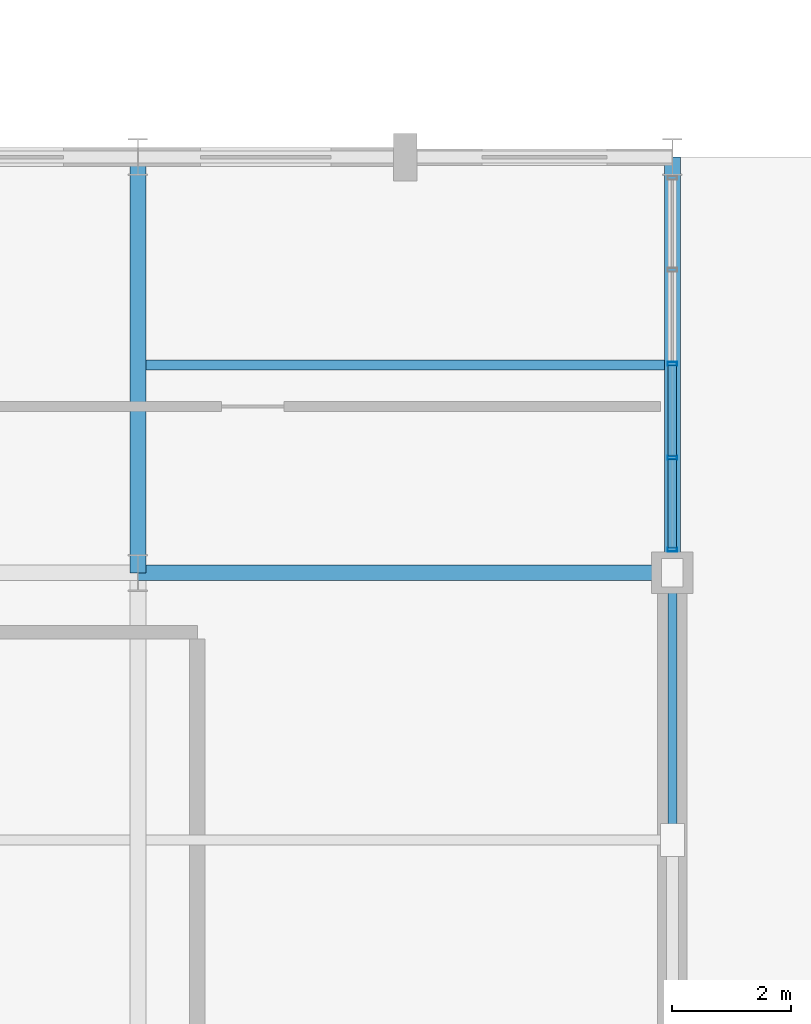
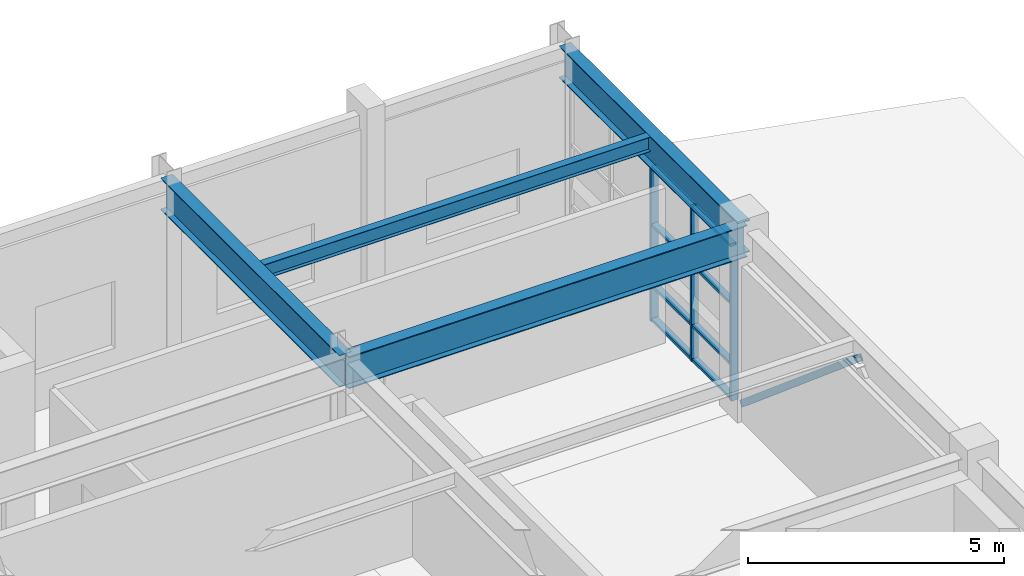
# One storey, part 67 of 104: 12 members, 4 beams, 1 element without a shape of its own.
"""IFC4 building model written with IfcOpenShell, lengths in metres."""

from ifc_helpers import new_model, si_unit, direction, frame, origin, origin_2d, place, context, subcontext, project, spatial, hollow_rectangle, i_section, extrude, material, layer, layer_set, material_profile, profile_set, type_object, element, aggregate, save


model = new_model("IFC4")

# Units and contexts
model_context = context("Model", 3, precision=1e-05, world=origin(), true_north=direction((0.0, 1.0)))
body_context = subcontext(model_context, "Body", "Model", "MODEL_VIEW")
ifc_project = project(units=[si_unit("LENGTHUNIT", "METRE"), si_unit("AREAUNIT", "SQUARE_METRE"), si_unit("VOLUMEUNIT", "CUBIC_METRE"), si_unit("PLANEANGLEUNIT", "RADIAN"), si_unit("MASSUNIT", "GRAM", prefix="KILO")], contexts=[model_context])

# Site, building, storey
site_placement = place(None, origin())
site = spatial("IfcSite", under=ifc_project, at=site_placement, CompositionType="ELEMENT")
building_placement = place(site_placement, origin())
building = spatial("IfcBuilding", under=site, at=building_placement, Name="Ventoquebrada Cableway Terminal", CompositionType="ELEMENT")
storey_placement = place(building_placement, frame((0.0, 0.0, 4.800048828125)))
storey = spatial("IfcBuildingStorey", under=building, at=storey_placement, Name="L01", CompositionType="ELEMENT", Elevation=4.800048828125)

# Beams
ifc_material_1 = material(Name="Steel ASTM A992 Grade 50", Category="steel")
ifc_material_profile_1 = material_profile(ifc_material_1, i_section(OverallWidth=0.26708984375, OverallDepth=0.761962890625, WebThickness=0.014404296875, FlangeThickness=0.021484375, at=origin_2d()), Name="W30X116")
ifc_profile_set_1 = profile_set([ifc_material_profile_1], Name="Steel ASTM A992 Grade 50")
beam_type_1 = type_object("IfcBeamType", Name="BM-ST05", PredefinedType="BEAM", material=ifc_profile_set_1)
beam_1_placement = place(storey_placement, frame((147.0, 95.0, 4.093994140625), z_axis=(1.0, 0.0, 0.0), x_axis=(0.0, 1.0, 0.0)))
element("IfcBeam", 1, at=beam_1_placement, inside=storey, type_object=beam_type_1, Name="Primary frame girder FBM-0835", PredefinedType="BEAM", context=body_context, shape_type="SweptSolid", body=[
    extrude(i_section(OverallWidth=0.26708984375, OverallDepth=0.761962890625, WebThickness=0.014404296875, FlangeThickness=0.021484375, at=origin_2d()), origin(), (0.0, 0.0, 1.0), 9.0),
])
for number, where, z_axis, x_axis, name in (
    (2, (147.0, 95.0, 4.093994140625), (0.0, 1.0, 0.0), (-1.0, 0.0, 0.0), "Primary frame girder FBM-0852"),
    (3, (156.0, 95.0, 4.093994140625), (0.0, 1.0, 0.0), (-1.0, 0.0, 0.0), "Primary frame girder FBM-0855"),
):
    element("IfcBeam", number, at=place(storey_placement, frame(where, z_axis=z_axis, x_axis=x_axis)), inside=storey, type_object=beam_type_1, Name=name, PredefinedType="BEAM", context=body_context, shape_type="SweptSolid", body=[
        extrude(i_section(OverallWidth=0.26708984375, OverallDepth=0.761962890625, WebThickness=0.014404296875, FlangeThickness=0.021484375, at=origin_2d()), origin(), (0.0, 0.0, 1.0), 7.0),
    ])

# Member
ifc_material_2 = material(Name="Steel ASTM A500 Grade C", Category="steel")
ifc_material_profile_2 = material_profile(ifc_material_2, hollow_rectangle(XDim=0.14990234375, YDim=0.14990234375, WallThickness=0.008056640625, at=origin_2d()), Name="HSS150X150X8")
ifc_profile_set_2 = profile_set([ifc_material_profile_2], Name="Steel ASTM A500 Grade C")
member_type_1 = type_object("IfcMemberType", Name="BRC-FR02", PredefinedType="BRACE", material=ifc_profile_set_2)
member_1_placement = place(storey_placement, frame((156.0, 95.0, 0.14990234375), z_axis=(0.0, -0.764025829276, 0.645185657155), x_axis=(1.0, 0.0, 0.0)))
element("IfcMember", 4, at=member_1_placement, inside=storey, type_object=member_type_1, Name="Concentric lateral chevron brace BR-0534", PredefinedType="BRACE", context=body_context, shape_type="SweptSolid", body=[
    extrude(hollow_rectangle(XDim=0.14990234375, YDim=0.14990234375, WallThickness=0.008056640625, at=origin_2d()), origin(), (0.0, 0.0, 1.0), 5.889892578125),
])

# Curtain wall, members
ifc_material_3 = material(Name="Anodized thermally-broken aluminium", Category="aluminium")
ifc_layer = layer(ifc_material_3, 0.159912109375)
ifc_layer_set = layer_set([ifc_layer], Name="Anodized thermally-broken aluminium")
curtain_wall_type = type_object("IfcCurtainWallType", Name="CW-T32", PredefinedType="USERDEFINED", material=ifc_layer_set)
curtain_wall_placement = place(storey_placement, origin())
curtain_wall = element("IfcCurtainWall", 5, at=curtain_wall_placement, inside=storey, type_object=curtain_wall_type, Name="Unitised glazed curtain wall CW-077", ObjectType="UNITISED CURTAIN WALL", PredefinedType="USERDEFINED")
ifc_material_profile_3 = material_profile(ifc_material_3, hollow_rectangle(XDim=0.06494140625, YDim=0.159912109375, WallThickness=0.00390625, at=origin_2d()), Name="CW-MUL-65X160")
ifc_profile_set_3 = profile_set([ifc_material_profile_3], Name="Anodized thermally-broken aluminium")
member_type_2 = type_object("IfcMemberType", Name="CWM-01", PredefinedType="MULLION", material=ifc_profile_set_3)
member_2_placement = place(storey_placement, frame((156.0, 95.389892578125, -0.008056640625), z_axis=(0.0, 0.0, 1.0), x_axis=(0.0, 1.0, 0.0)))
member_2 = element("IfcMember", 6, at=member_2_placement, type_object=member_type_2, Name="Curtain wall mullion FML-0367", PredefinedType="MULLION", context=body_context, shape_type="SweptSolid", body=[
    extrude(hollow_rectangle(XDim=0.06494140625, YDim=0.159912109375, WallThickness=0.00390625, at=origin_2d()), origin(), (0.0, 0.0, 1.0), 3.720947265625),
])
member_3_placement = place(storey_placement, frame((156.0, 96.93701171875, -0.008056640625), z_axis=(0.0, 0.0, 1.0), x_axis=(0.0, 1.0, 0.0)))
member_3 = element("IfcMember", 7, at=member_3_placement, type_object=member_type_2, Name="Curtain wall mullion FML-0368", PredefinedType="MULLION", context=body_context, shape_type="SweptSolid", body=[
    extrude(hollow_rectangle(XDim=0.06494140625, YDim=0.159912109375, WallThickness=0.00390625, at=origin_2d()), origin(), (0.0, 0.0, 1.0), 3.720947265625),
])
member_4_placement = place(storey_placement, frame((156.0, 98.51904296875, -0.008056640625), z_axis=(0.0, 0.0, 1.0), x_axis=(0.0, 1.0, 0.0)))
member_4 = element("IfcMember", 8, at=member_4_placement, type_object=member_type_2, Name="Curtain wall mullion FML-0369", PredefinedType="MULLION", context=body_context, shape_type="SweptSolid", body=[
    extrude(hollow_rectangle(XDim=0.06494140625, YDim=0.159912109375, WallThickness=0.00390625, at=origin_2d()), origin(), (0.0, 0.0, 1.0), 3.720947265625),
])
ifc_material_profile_4 = material_profile(ifc_material_3, hollow_rectangle(XDim=0.06494140625, YDim=0.139892578125, WallThickness=0.00390625, at=origin_2d()), Name="CW-TRN-65X140")
ifc_profile_set_4 = profile_set([ifc_material_profile_4], Name="Anodized thermally-broken aluminium")
member_type_3 = type_object("IfcMemberType", Name="CWT-01", PredefinedType="USERDEFINED", material=ifc_profile_set_4)
member_5_placement = place(storey_placement, frame((156.0, 95.41796875, 0.034912109375), z_axis=(0.0, 1.0, 0.0), x_axis=(0.0, 0.0, 1.0)))
member_5 = element("IfcMember", 9, at=member_5_placement, type_object=member_type_3, Name="Curtain wall transom FTR-1068", ObjectType="TRANSOM", PredefinedType="USERDEFINED", context=body_context, shape_type="SweptSolid", body=[
    extrude(hollow_rectangle(XDim=0.06494140625, YDim=0.139892578125, WallThickness=0.00390625, at=origin_2d()), origin(), (0.0, 0.0, 1.0), 1.491943359375),
])
member_6_placement = place(storey_placement, frame((156.0, 95.41796875, 0.849853515625), z_axis=(0.0, 1.0, 0.0), x_axis=(0.0, 0.0, 1.0)))
member_6 = element("IfcMember", 10, at=member_6_placement, type_object=member_type_3, Name="Curtain wall transom FTR-1069", ObjectType="TRANSOM", PredefinedType="USERDEFINED", context=body_context, shape_type="SweptSolid", body=[
    extrude(hollow_rectangle(XDim=0.06494140625, YDim=0.139892578125, WallThickness=0.00390625, at=origin_2d()), origin(), (0.0, 0.0, 1.0), 1.491943359375),
])
member_7_placement = place(storey_placement, frame((156.0, 95.41796875, 2.299072265625), z_axis=(0.0, 1.0, 0.0), x_axis=(0.0, 0.0, 1.0)))
member_7 = element("IfcMember", 11, at=member_7_placement, type_object=member_type_3, Name="Curtain wall transom FTR-1070", ObjectType="TRANSOM", PredefinedType="USERDEFINED", context=body_context, shape_type="SweptSolid", body=[
    extrude(hollow_rectangle(XDim=0.06494140625, YDim=0.139892578125, WallThickness=0.00390625, at=origin_2d()), origin(), (0.0, 0.0, 1.0), 1.491943359375),
])
member_8_placement = place(storey_placement, frame((156.0, 95.41796875, 3.6728515625), z_axis=(0.0, 1.0, 0.0), x_axis=(0.0, 0.0, 1.0)))
member_8 = element("IfcMember", 12, at=member_8_placement, type_object=member_type_3, Name="Curtain wall transom FTR-1071", ObjectType="TRANSOM", PredefinedType="USERDEFINED", context=body_context, shape_type="SweptSolid", body=[
    extrude(hollow_rectangle(XDim=0.06494140625, YDim=0.139892578125, WallThickness=0.00390625, at=origin_2d()), origin(), (0.0, 0.0, 1.0), 1.491943359375),
])
member_9_placement = place(storey_placement, frame((156.0, 96.965087890625, 0.034912109375), z_axis=(0.0, 1.0, 0.0), x_axis=(0.0, 0.0, 1.0)))
member_9 = element("IfcMember", 13, at=member_9_placement, type_object=member_type_3, Name="Curtain wall transom FTR-1072", ObjectType="TRANSOM", PredefinedType="USERDEFINED", context=body_context, shape_type="SweptSolid", body=[
    extrude(hollow_rectangle(XDim=0.06494140625, YDim=0.139892578125, WallThickness=0.00390625, at=origin_2d()), origin(), (0.0, 0.0, 1.0), 1.52685546875),
])
member_10_placement = place(storey_placement, frame((156.0, 96.965087890625, 0.849853515625), z_axis=(0.0, 1.0, 0.0), x_axis=(0.0, 0.0, 1.0)))
member_10 = element("IfcMember", 14, at=member_10_placement, type_object=member_type_3, Name="Curtain wall transom FTR-1073", ObjectType="TRANSOM", PredefinedType="USERDEFINED", context=body_context, shape_type="SweptSolid", body=[
    extrude(hollow_rectangle(XDim=0.06494140625, YDim=0.139892578125, WallThickness=0.00390625, at=origin_2d()), origin(), (0.0, 0.0, 1.0), 1.52685546875),
])
member_11_placement = place(storey_placement, frame((156.0, 96.965087890625, 2.299072265625), z_axis=(0.0, 1.0, 0.0), x_axis=(0.0, 0.0, 1.0)))
member_11 = element("IfcMember", 15, at=member_11_placement, type_object=member_type_3, Name="Curtain wall transom FTR-1074", ObjectType="TRANSOM", PredefinedType="USERDEFINED", context=body_context, shape_type="SweptSolid", body=[
    extrude(hollow_rectangle(XDim=0.06494140625, YDim=0.139892578125, WallThickness=0.00390625, at=origin_2d()), origin(), (0.0, 0.0, 1.0), 1.52685546875),
])
member_12_placement = place(storey_placement, frame((156.0, 96.965087890625, 3.6728515625), z_axis=(0.0, 1.0, 0.0), x_axis=(0.0, 0.0, 1.0)))
member_12 = element("IfcMember", 16, at=member_12_placement, type_object=member_type_3, Name="Curtain wall transom FTR-1075", ObjectType="TRANSOM", PredefinedType="USERDEFINED", context=body_context, shape_type="SweptSolid", body=[
    extrude(hollow_rectangle(XDim=0.06494140625, YDim=0.139892578125, WallThickness=0.00390625, at=origin_2d()), origin(), (0.0, 0.0, 1.0), 1.52685546875),
])
aggregate(curtain_wall, [member_2, member_3, member_4, member_5, member_6, member_7, member_8, member_9, member_10, member_11, member_12])

# Beam
ifc_material_profile_5 = material_profile(ifc_material_1, i_section(OverallWidth=0.1708984375, OverallDepth=0.35107421875, WebThickness=0.0068359375, FlangeThickness=0.009765625, at=origin_2d()), Name="W14X30")
ifc_profile_set_5 = profile_set([ifc_material_profile_5], Name="Steel ASTM A992 Grade 50")
beam_type_2 = type_object("IfcBeamType", Name="JST-ST04", PredefinedType="JOIST", material=ifc_profile_set_5)
beam_2_placement = place(storey_placement, frame((147.133056640625, 98.5, 4.300048828125), z_axis=(1.0, 0.0, 0.0), x_axis=(0.0, 1.0, 0.0)))
element("IfcBeam", 17, at=beam_2_placement, inside=storey, type_object=beam_type_2, Name="Secondary floor joist JB-031", PredefinedType="JOIST", context=body_context, shape_type="SweptSolid", body=[
    extrude(i_section(OverallWidth=0.1708984375, OverallDepth=0.35107421875, WebThickness=0.0068359375, FlangeThickness=0.009765625, at=origin_2d()), origin(), (0.0, 0.0, 1.0), 8.73388671875),
])

save(model, "model.ifc")
